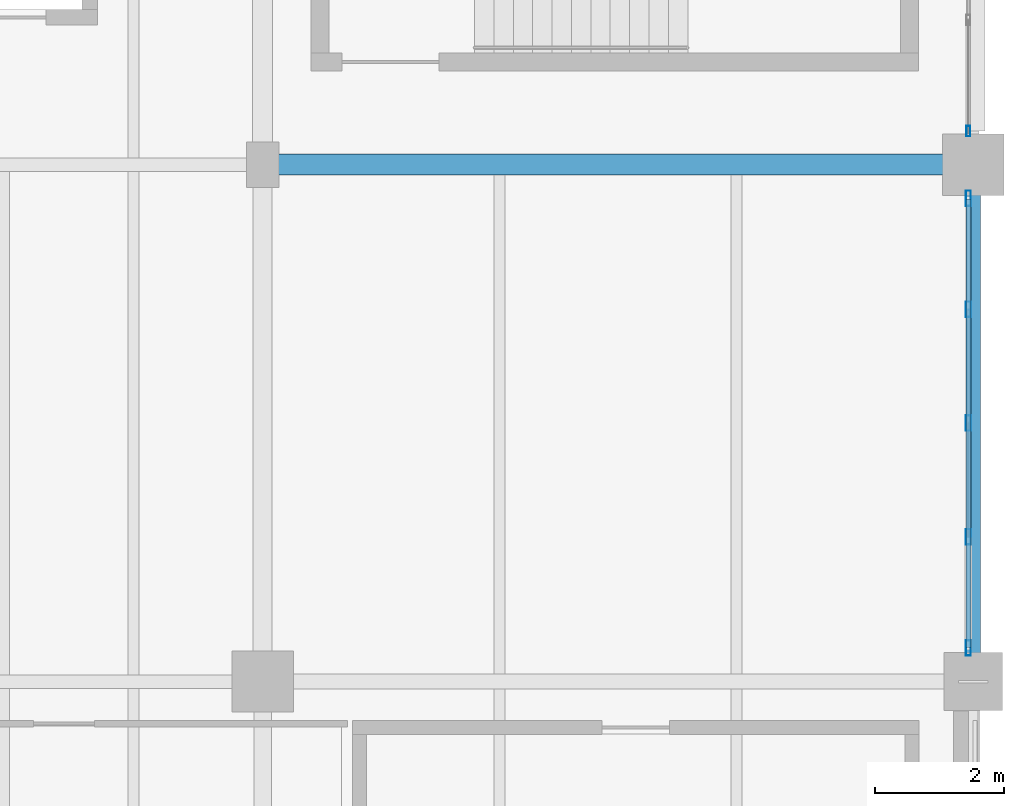
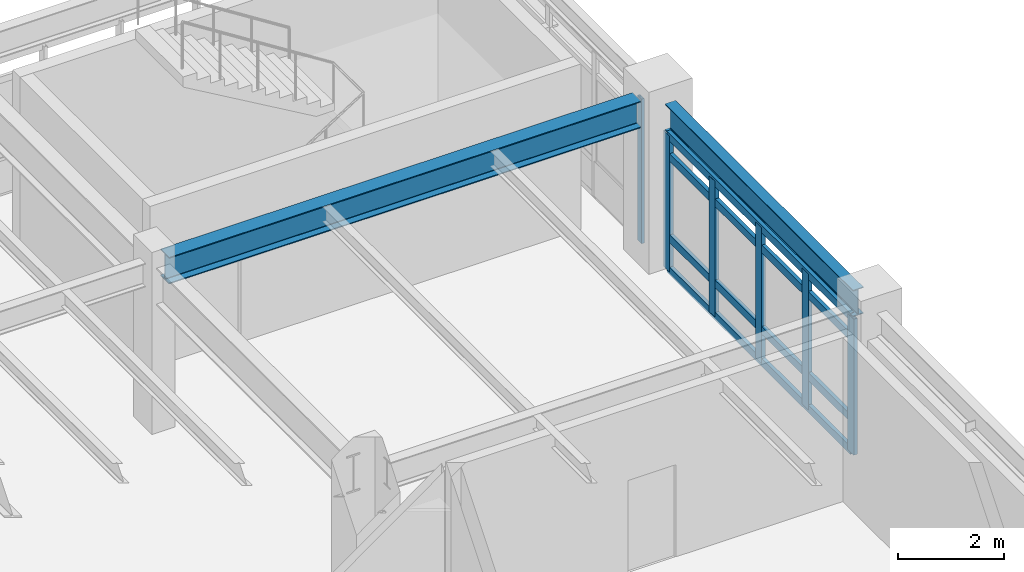
# One storey, part 40 of 56: 10 members, 2 beams, 2 elements without a shape of their own.
"""IFC4 building model written with IfcOpenShell, lengths in metres."""

from ifc_helpers import new_model, si_unit, direction, frame, origin, origin_2d, place, context, subcontext, project, spatial, hollow_rectangle, i_section, extrude, material, material_profile, profile_set, type_object, element, aggregate, save


model = new_model("IFC4")

# Units and contexts
model_context = context("Model", 3, precision=1e-05, world=origin(), true_north=direction((0.0, 1.0)))
body_context = subcontext(model_context, "Body", "Model", "MODEL_VIEW")
ifc_project = project(units=[si_unit("LENGTHUNIT", "METRE"), si_unit("AREAUNIT", "SQUARE_METRE"), si_unit("VOLUMEUNIT", "CUBIC_METRE"), si_unit("PLANEANGLEUNIT", "RADIAN"), si_unit("MASSUNIT", "GRAM", prefix="KILO"), si_unit("THERMODYNAMICTEMPERATUREUNIT", "KELVIN"), si_unit("POWERUNIT", "WATT")], contexts=[model_context])

# Site, building, storey
site_placement = place(None, origin())
site = spatial("IfcSite", under=ifc_project, at=site_placement, CompositionType="ELEMENT")
building_placement = place(site_placement, origin())
building = spatial("IfcBuilding", under=site, at=building_placement, Name="Tepalcoro Natatorium and Aquatics Centre", CompositionType="ELEMENT")
storey_placement = place(building_placement, frame((0.0, 0.0, 14.800048828125)))
storey = spatial("IfcBuildingStorey", under=building, at=storey_placement, Name="L03", CompositionType="ELEMENT", Elevation=14.800048828125)

# Beam
ifc_material_1 = material(Name="Steel ASTM A992 Grade 50 (Fy 345 MPa)", Category="steel")
ifc_material_profile_1 = material_profile(ifc_material_1, i_section(OverallWidth=0.324951171875, OverallDepth=0.616943359375, WebThickness=0.013916015625, FlangeThickness=0.02197265625, FilletRadius=0.013916015625, at=origin_2d()), Name="W24X117")
ifc_profile_set_1 = profile_set([ifc_material_profile_1], Name="Steel ASTM A992 Grade 50 (Fy 345 MPa)")
beam_type_1 = type_object("IfcBeamType", Name="BM_W24x117", PredefinedType="BEAM", material=ifc_profile_set_1)
beam_1_placement = place(storey_placement, frame((165.235107421875, 110.0, 3.496337890625), z_axis=(1.0, 0.0, 0.0), x_axis=(0.0, 1.0, 0.0)))
element("IfcBeam", 1, at=beam_1_placement, inside=storey, type_object=beam_type_1, Name="V5 L03 Grid Girder X", PredefinedType="BEAM", context=body_context, shape_type="SweptSolid", body=[
    extrude(i_section(OverallWidth=0.324951171875, OverallDepth=0.616943359375, WebThickness=0.013916015625, FlangeThickness=0.02197265625, FilletRadius=0.013916015625, at=origin_2d()), origin(), (0.0, 0.0, 1.0), 10.304931640625),
])

# Curtain wall, member
ifc_material_2 = material(Name="Bronze-Anodised Extruded Aluminium Alloy EN AW-6063 T6", Category="aluminium")
curtain_wall_type_1 = type_object("IfcCurtainWallType", Name="CW_LEAN_T2_EW", PredefinedType="USERDEFINED", material=ifc_material_2)
curtain_wall_1_placement = place(storey_placement, origin())
curtain_wall_1 = element("IfcCurtainWall", 2, at=curtain_wall_1_placement, inside=storey, type_object=curtain_wall_type_1, Name="V5 L03 E Unitised Curtain Wall Bay 3", ObjectType="FACETED SOLAR GLAZING", PredefinedType="USERDEFINED")
ifc_material_profile_2 = material_profile(ifc_material_2, hollow_rectangle(XDim=0.06005859375, YDim=0.159912109375, WallThickness=0.00390625, at=origin_2d()), Name="AL60X160X4")
ifc_profile_set_2 = profile_set([ifc_material_profile_2], Name="Bronze-Anodised Extruded Aluminium Alloy EN AW-6063 T6")
member_type_1 = type_object("IfcMemberType", Name="CW_MUL_60x160", PredefinedType="MULLION", material=ifc_profile_set_2)
member_1_placement = place(storey_placement, frame((175.923828125, 110.52001953125, 0.02001953125), z_axis=(0.0, 0.0, 1.0), x_axis=(1.0, 0.0, 0.0)))
member_1 = element("IfcMember", 3, at=member_1_placement, type_object=member_type_1, Name="CW_LEAN_T2_EW Curtain Wall Mullion", PredefinedType="MULLION", context=body_context, shape_type="SweptSolid", body=[
    extrude(hollow_rectangle(XDim=0.06005859375, YDim=0.159912109375, WallThickness=0.00390625, at=origin_2d()), origin(), (0.0, 0.0, 1.0), 3.3369140625),
])
aggregate(curtain_wall_1, [member_1])

# Curtain wall, members
curtain_wall_type_2 = type_object("IfcCurtainWallType", Name="CW_LEAN_T2_NS", PredefinedType="USERDEFINED", material=ifc_material_2)
curtain_wall_2_placement = place(storey_placement, origin())
curtain_wall_2 = element("IfcCurtainWall", 4, at=curtain_wall_2_placement, inside=storey, type_object=curtain_wall_type_2, Name="V5 L03 E Unitised Curtain Wall Bay 2", ObjectType="FACETED SOLAR GLAZING", PredefinedType="USERDEFINED")
ifc_material_profile_3 = material_profile(ifc_material_2, hollow_rectangle(XDim=0.080078125, YDim=0.239990234375, WallThickness=0.0048828125, at=origin_2d()), Name="AL80X240X5")
ifc_profile_set_3 = profile_set([ifc_material_profile_3], Name="Bronze-Anodised Extruded Aluminium Alloy EN AW-6063 T6")
member_type_2 = type_object("IfcMemberType", Name="CW_MUL_80x240", PredefinedType="MULLION", material=ifc_profile_set_3)
member_2_placement = place(storey_placement, frame((175.923828125, 102.52001953125, 0.02001953125), z_axis=(0.0, 0.0, 1.0), x_axis=(1.0, 0.0, 0.0)))
member_2 = element("IfcMember", 5, at=member_2_placement, type_object=member_type_2, Name="CW_LEAN_T2_NS Curtain Wall Mullion", PredefinedType="MULLION", context=body_context, shape_type="SweptSolid", body=[
    extrude(hollow_rectangle(XDim=0.080078125, YDim=0.239990234375, WallThickness=0.0048828125, at=origin_2d()), origin(), (0.0, 0.0, 1.0), 3.137939453125),
])
member_3_placement = place(storey_placement, frame((175.923828125, 104.239990234375, 0.02001953125), z_axis=(0.0, 0.0, 1.0), x_axis=(1.0, 0.0, 0.0)))
member_3 = element("IfcMember", 6, at=member_3_placement, type_object=member_type_2, Name="CW_LEAN_T2_NS Curtain Wall Mullion", PredefinedType="MULLION", context=body_context, shape_type="SweptSolid", body=[
    extrude(hollow_rectangle(XDim=0.080078125, YDim=0.239990234375, WallThickness=0.0048828125, at=origin_2d()), origin(), (0.0, 0.0, 1.0), 3.137939453125),
])
member_4_placement = place(storey_placement, frame((175.923828125, 106.0, 0.02001953125), z_axis=(0.0, 0.0, 1.0), x_axis=(1.0, 0.0, 0.0)))
member_4 = element("IfcMember", 7, at=member_4_placement, type_object=member_type_2, Name="CW_LEAN_T2_NS Curtain Wall Mullion", PredefinedType="MULLION", context=body_context, shape_type="SweptSolid", body=[
    extrude(hollow_rectangle(XDim=0.080078125, YDim=0.239990234375, WallThickness=0.0048828125, at=origin_2d()), origin(), (0.0, 0.0, 1.0), 3.137939453125),
])
member_5_placement = place(storey_placement, frame((175.923828125, 107.760009765625, 0.02001953125), z_axis=(0.0, 0.0, 1.0), x_axis=(1.0, 0.0, 0.0)))
member_5 = element("IfcMember", 8, at=member_5_placement, type_object=member_type_2, Name="CW_LEAN_T2_NS Curtain Wall Mullion", PredefinedType="MULLION", context=body_context, shape_type="SweptSolid", body=[
    extrude(hollow_rectangle(XDim=0.080078125, YDim=0.239990234375, WallThickness=0.0048828125, at=origin_2d()), origin(), (0.0, 0.0, 1.0), 3.137939453125),
])
member_6_placement = place(storey_placement, frame((175.923828125, 109.47998046875, 0.02001953125), z_axis=(0.0, 0.0, 1.0), x_axis=(1.0, 0.0, 0.0)))
member_6 = element("IfcMember", 9, at=member_6_placement, type_object=member_type_2, Name="CW_LEAN_T2_NS Curtain Wall Mullion", PredefinedType="MULLION", context=body_context, shape_type="SweptSolid", body=[
    extrude(hollow_rectangle(XDim=0.080078125, YDim=0.239990234375, WallThickness=0.0048828125, at=origin_2d()), origin(), (0.0, 0.0, 1.0), 3.137939453125),
])
ifc_material_profile_4 = material_profile(ifc_material_2, hollow_rectangle(XDim=0.080078125, YDim=0.179931640625, WallThickness=0.0048828125, at=origin_2d()), Name="AL80X180X5")
ifc_profile_set_4 = profile_set([ifc_material_profile_4], Name="Bronze-Anodised Extruded Aluminium Alloy EN AW-6063 T6")
member_type_3 = type_object("IfcMemberType", Name="CW_TRN_80x180", PredefinedType="USERDEFINED", material=ifc_profile_set_4)
member_7_placement = place(storey_placement, frame((175.923828125, 102.530029296875, 0.050048828125), z_axis=(0.0, 1.0, 0.0), x_axis=(-1.0, 0.0, 0.0)))
member_7 = element("IfcMember", 10, at=member_7_placement, type_object=member_type_3, Name="CW_LEAN_T2_NS Curtain Wall Transom", ObjectType="TRANSOM", PredefinedType="USERDEFINED", context=body_context, shape_type="SweptSolid", body=[
    extrude(hollow_rectangle(XDim=0.080078125, YDim=0.179931640625, WallThickness=0.0048828125, at=origin_2d()), origin(), (0.0, 0.0, 1.0), 6.93994140625),
])
member_8_placement = place(storey_placement, frame((175.923828125, 102.530029296875, 0.79443359375), z_axis=(0.0, 1.0, 0.0), x_axis=(-1.0, 0.0, 0.0)))
member_8 = element("IfcMember", 11, at=member_8_placement, type_object=member_type_3, Name="CW_LEAN_T2_NS Curtain Wall Transom", ObjectType="TRANSOM", PredefinedType="USERDEFINED", context=body_context, shape_type="SweptSolid", body=[
    extrude(hollow_rectangle(XDim=0.080078125, YDim=0.179931640625, WallThickness=0.0048828125, at=origin_2d()), origin(), (0.0, 0.0, 1.0), 6.93994140625),
])
member_9_placement = place(storey_placement, frame((175.923828125, 102.530029296875, 2.66943359375), z_axis=(0.0, 1.0, 0.0), x_axis=(-1.0, 0.0, 0.0)))
member_9 = element("IfcMember", 12, at=member_9_placement, type_object=member_type_3, Name="CW_LEAN_T2_NS Curtain Wall Transom", ObjectType="TRANSOM", PredefinedType="USERDEFINED", context=body_context, shape_type="SweptSolid", body=[
    extrude(hollow_rectangle(XDim=0.080078125, YDim=0.179931640625, WallThickness=0.0048828125, at=origin_2d()), origin(), (0.0, 0.0, 1.0), 6.93994140625),
])
member_10_placement = place(storey_placement, frame((175.923828125, 102.530029296875, 3.1279296875), z_axis=(0.0, 1.0, 0.0), x_axis=(-1.0, 0.0, 0.0)))
member_10 = element("IfcMember", 13, at=member_10_placement, type_object=member_type_3, Name="CW_LEAN_T2_NS Curtain Wall Transom", ObjectType="TRANSOM", PredefinedType="USERDEFINED", context=body_context, shape_type="SweptSolid", body=[
    extrude(hollow_rectangle(XDim=0.080078125, YDim=0.179931640625, WallThickness=0.0048828125, at=origin_2d()), origin(), (0.0, 0.0, 1.0), 6.93994140625),
])
aggregate(curtain_wall_2, [member_2, member_3, member_4, member_5, member_6, member_7, member_8, member_9, member_10])

# Beam
ifc_material_profile_5 = material_profile(ifc_material_1, i_section(OverallWidth=0.22900390625, OverallDepth=0.612060546875, WebThickness=0.011962890625, FlangeThickness=0.02001953125, FilletRadius=0.013916015625, at=origin_2d()), Name="W24X84")
ifc_profile_set_5 = profile_set([ifc_material_profile_5], Name="Steel ASTM A992 Grade 50 (Fy 345 MPa)")
beam_type_2 = type_object("IfcBeamType", Name="SP_W24x84", PredefinedType="SPANDREL", material=ifc_profile_set_5)
beam_2_placement = place(storey_placement, frame((176.0, 102.43505859375, 3.4990234375), z_axis=(0.0, 1.0, 0.0), x_axis=(-1.0, 0.0, 0.0)))
element("IfcBeam", 14, at=beam_2_placement, inside=storey, type_object=beam_type_2, Name="V5 L03 Grid Girder Y", PredefinedType="SPANDREL", context=body_context, shape_type="SweptSolid", body=[
    extrude(i_section(OverallWidth=0.22900390625, OverallDepth=0.612060546875, WebThickness=0.011962890625, FlangeThickness=0.02001953125, FilletRadius=0.013916015625, at=origin_2d()), origin(), (0.0, 0.0, 1.0), 7.10498046875),
])

save(model, "model.ifc")
